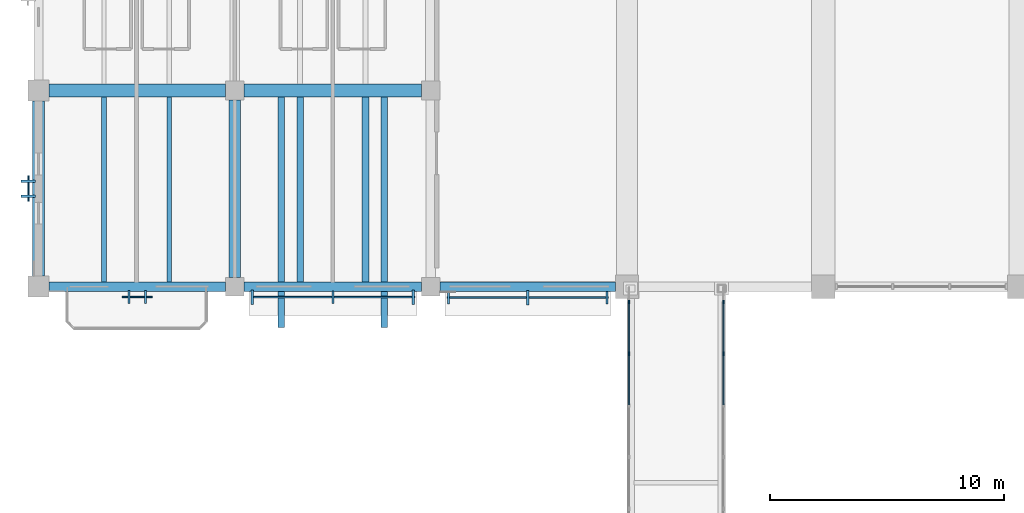
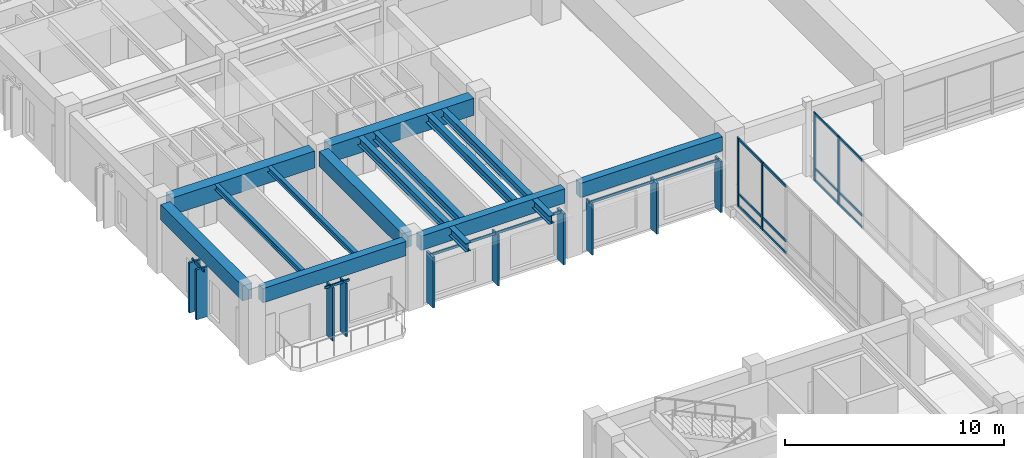
# One storey, part 39 of 132: 30 members, 13 beams, 6 elements without a shape of their own.
"""IFC4 building model written with IfcOpenShell, lengths in metres."""

from ifc_helpers import new_model, si_unit, direction, frame, origin, origin_2d, place, context, subcontext, project, spatial, rectangle, i_section, extrude, material, material_profile, profile_set, type_object, element, aggregate, save


model = new_model("IFC4")

# Units and contexts
model_context = context("Model", 3, precision=1e-05, world=origin(), true_north=direction((0.0, 1.0)))
body_context = subcontext(model_context, "Body", "Model", "MODEL_VIEW")
ifc_project = project(units=[si_unit("LENGTHUNIT", "METRE"), si_unit("AREAUNIT", "SQUARE_METRE"), si_unit("VOLUMEUNIT", "CUBIC_METRE"), si_unit("PLANEANGLEUNIT", "RADIAN"), si_unit("MASSUNIT", "GRAM", prefix="KILO")], contexts=[model_context])

# Site, building, storey
site_placement = place(None, origin())
site = spatial("IfcSite", under=ifc_project, at=site_placement, CompositionType="ELEMENT")
building_placement = place(site_placement, origin())
building = spatial("IfcBuilding", under=site, at=building_placement, Name="Cumbredor Promenade Congress Hotel", CompositionType="ELEMENT")
storey_placement = place(building_placement, frame((0.0, 0.0, 7.56005859375)))
storey = spatial("IfcBuildingStorey", under=building, at=storey_placement, Name="L02", CompositionType="ELEMENT", Elevation=7.56005859375)

# Beams
ifc_material_1 = material(Name="Concrete C40/50", Category="concrete")
ifc_material_profile_1 = material_profile(ifc_material_1, rectangle(XDim=0.5, YDim=0.85009765625, at=origin_2d()), Name="RC BEAM 500x850")
ifc_profile_set_1 = profile_set([ifc_material_profile_1], Name="Concrete C40/50")
beam_type_1 = type_object("IfcBeamType", Name="BM-RC-500x850", PredefinedType="BEAM", material=ifc_profile_set_1)
beam_1_placement = place(storey_placement, frame((0.0, 84.449951171875, 3.375), z_axis=(0.0, 1.0, 0.0), x_axis=(-1.0, 0.0, 0.0)))
element("IfcBeam", 1, at=beam_1_placement, inside=storey, type_object=beam_type_1, Name="L03 Y-Grid Beam 002", PredefinedType="BEAM", context=body_context, shape_type="SweptSolid", body=[
    extrude(rectangle(XDim=0.5, YDim=0.85009765625, at=origin_2d()), origin(), (0.0, 0.0, 1.0), 7.5),
])
beam_2_placement = place(storey_placement, frame((8.39990234375, 84.39990234375, 3.375), z_axis=(0.0, 1.0, 0.0), x_axis=(-1.0, 0.0, 0.0)))
element("IfcBeam", 2, at=beam_2_placement, inside=storey, type_object=beam_type_1, Name="L03 Y-Grid Beam 026", PredefinedType="BEAM", context=body_context, shape_type="SweptSolid", body=[
    extrude(rectangle(XDim=0.5, YDim=0.85009765625, at=origin_2d()), origin(), (0.0, 0.0, 1.0), 7.60009765625),
])
ifc_material_profile_2 = material_profile(ifc_material_1, rectangle(XDim=0.550048828125, YDim=0.949951171875, at=origin_2d()), Name="RC BEAM 550x950")
ifc_profile_set_2 = profile_set([ifc_material_profile_2], Name="Concrete C40/50")
beam_type_2 = type_object("IfcBeamType", Name="BM-RC-550x950", PredefinedType="BEAM", material=ifc_profile_set_2)
beam_3_placement = place(storey_placement, frame((0.449951171875, 92.39990234375, 3.324951171875), z_axis=(1.0, 0.0, 0.0), x_axis=(0.0, 1.0, 0.0)))
element("IfcBeam", 3, at=beam_3_placement, inside=storey, type_object=beam_type_2, Name="L03 X-Grid Beam 003", PredefinedType="BEAM", context=body_context, shape_type="SweptSolid", body=[
    extrude(rectangle(XDim=0.550048828125, YDim=0.949951171875, at=origin_2d()), origin(), (0.0, 0.0, 1.0), 7.550048828125),
])
beam_4_placement = place(storey_placement, frame((8.800048828125, 92.39990234375, 3.324951171875), z_axis=(1.0, 0.0, 0.0), x_axis=(0.0, 1.0, 0.0)))
element("IfcBeam", 4, at=beam_4_placement, inside=storey, type_object=beam_type_2, Name="L03 X-Grid Beam 027", PredefinedType="BEAM", context=body_context, shape_type="SweptSolid", body=[
    extrude(rectangle(XDim=0.550048828125, YDim=0.949951171875, at=origin_2d()), origin(), (0.0, 0.0, 1.0), 7.599853515625),
])

# Curtain wall, members
ifc_material_2 = material(Name="Thermally broken anodized aluminium and low-E glass", Category="aluminium")
curtain_wall_type_1 = type_object("IfcCurtainWallType", Name="Unitised Bridge Glazing Screen CW-05", PredefinedType="NOTDEFINED", material=ifc_material_2)
curtain_wall_1_placement = place(storey_placement, origin())
curtain_wall_1 = element("IfcCurtainWall", 5, at=curtain_wall_1_placement, inside=storey, type_object=curtain_wall_type_1, Name="L02 West Congress-to-Hotel Glazed Bridge West Glazing Screen", PredefinedType="NOTDEFINED")
ifc_material_3 = material(Name="Thermally broken anodized aluminium", Category="aluminium")
ifc_material_profile_3 = material_profile(ifc_material_3, rectangle(XDim=0.06494140625, YDim=0.159912109375, at=origin_2d()), Name="ALU MULLION 65x160")
ifc_profile_set_3 = profile_set([ifc_material_profile_3], Name="Thermally broken anodized aluminium")
member_type_1 = type_object("IfcMemberType", Name="Curtain Wall Mullion ML-01", PredefinedType="MULLION", material=ifc_profile_set_3)
member_1_placement = place(storey_placement, frame((25.280029296875, 81.128662109375, -0.008056640625), z_axis=(0.0, 0.0, 1.0), x_axis=(1.0, 0.0, 0.0)))
member_1 = element("IfcMember", 6, at=member_1_placement, type_object=member_type_1, Name="L02 West Congress-to-Hotel Glazed Bridge West Glazing Screen Mullion 7", PredefinedType="MULLION", context=body_context, shape_type="SweptSolid", body=[
    extrude(rectangle(XDim=0.06494140625, YDim=0.159912109375, at=origin_2d()), origin(), (0.0, 0.0, 1.0), 3.8359375),
])
member_2_placement = place(storey_placement, frame((25.280029296875, 83.340087890625, -0.008056640625), z_axis=(0.0, 0.0, 1.0), x_axis=(1.0, 0.0, 0.0)))
member_2 = element("IfcMember", 7, at=member_2_placement, type_object=member_type_1, Name="L02 West Congress-to-Hotel Glazed Bridge West Glazing Screen Mullion 8", PredefinedType="MULLION", context=body_context, shape_type="SweptSolid", body=[
    extrude(rectangle(XDim=0.06494140625, YDim=0.159912109375, at=origin_2d()), origin(), (0.0, 0.0, 1.0), 3.8359375),
])

curtain_wall_2_placement = place(storey_placement, origin())
curtain_wall_2 = element("IfcCurtainWall", 8, at=curtain_wall_2_placement, inside=storey, type_object=curtain_wall_type_1, Name="L02 West Congress-to-Hotel Glazed Bridge East Glazing Screen", PredefinedType="NOTDEFINED")
member_3_placement = place(storey_placement, frame((29.320068359375, 81.128662109375, -0.008056640625), z_axis=(0.0, 0.0, 1.0), x_axis=(1.0, 0.0, 0.0)))
member_3 = element("IfcMember", 9, at=member_3_placement, type_object=member_type_1, Name="L02 West Congress-to-Hotel Glazed Bridge East Glazing Screen Mullion 7", PredefinedType="MULLION", context=body_context, shape_type="SweptSolid", body=[
    extrude(rectangle(XDim=0.06494140625, YDim=0.159912109375, at=origin_2d()), origin(), (0.0, 0.0, 1.0), 3.8359375),
])
member_4_placement = place(storey_placement, frame((29.320068359375, 83.340087890625, -0.008056640625), z_axis=(0.0, 0.0, 1.0), x_axis=(1.0, 0.0, 0.0)))
member_4 = element("IfcMember", 10, at=member_4_placement, type_object=member_type_1, Name="L02 West Congress-to-Hotel Glazed Bridge East Glazing Screen Mullion 8", PredefinedType="MULLION", context=body_context, shape_type="SweptSolid", body=[
    extrude(rectangle(XDim=0.06494140625, YDim=0.159912109375, at=origin_2d()), origin(), (0.0, 0.0, 1.0), 3.8359375),
])

# Curtain wall, member
curtain_wall_type_2 = type_object("IfcCurtainWallType", Name="Solar Brise-Soleil Screen Assembly CW-07", PredefinedType="NOTDEFINED", material=ifc_material_2)
curtain_wall_3_placement = place(storey_placement, origin())
curtain_wall_3 = element("IfcCurtainWall", 11, at=curtain_wall_3_placement, inside=storey, type_object=curtain_wall_type_2, Name="L02 Veranda Solar Brise-Soleil Screen 451", PredefinedType="NOTDEFINED")
ifc_material_profile_4 = material_profile(ifc_material_3, rectangle(XDim=0.06494140625, YDim=0.1298828125, at=origin_2d()), Name="ALU TRANSOM 65x130")
ifc_profile_set_4 = profile_set([ifc_material_profile_4], Name="Thermally broken anodized aluminium")
member_type_2 = type_object("IfcMemberType", Name="Curtain Wall Transom TR-01", PredefinedType="USERDEFINED", material=ifc_profile_set_4)
member_5_placement = place(storey_placement, frame((3.574951171875, 83.56494140625, 2.905029296875), z_axis=(1.0, 0.0, 0.0), x_axis=(0.0, 1.0, 0.0)))
member_5 = element("IfcMember", 12, at=member_5_placement, type_object=member_type_2, Name="L02 Brise-Soleil Header Tie 0453", ObjectType="TRANSOM", PredefinedType="USERDEFINED", context=body_context, shape_type="SweptSolid", body=[
    extrude(rectangle(XDim=0.06494140625, YDim=0.1298828125, at=origin_2d()), origin(), (0.0, 0.0, 1.0), 1.300048828125),
])

curtain_wall_4_placement = place(storey_placement, origin())
curtain_wall_4 = element("IfcCurtainWall", 13, at=curtain_wall_4_placement, inside=storey, type_object=curtain_wall_type_2, Name="L02 Hospitality Brise-Soleil Screen 039", PredefinedType="NOTDEFINED")
member_6_placement = place(storey_placement, frame((9.10107421875, 83.550048828125, 2.804931640625), z_axis=(1.0, 0.0, 0.0), x_axis=(0.0, 1.0, 0.0)))
member_6 = element("IfcMember", 14, at=member_6_placement, type_object=member_type_2, Name="L02 Brise-Soleil Screen Transom 039", ObjectType="TRANSOM", PredefinedType="USERDEFINED", context=body_context, shape_type="SweptSolid", body=[
    extrude(rectangle(XDim=0.06494140625, YDim=0.1298828125, at=origin_2d()), origin(), (0.0, 0.0, 1.0), 6.998046875),
])

curtain_wall_5_placement = place(storey_placement, origin())
curtain_wall_5 = element("IfcCurtainWall", 15, at=curtain_wall_5_placement, inside=storey, type_object=curtain_wall_type_2, Name="L02 Hospitality Brise-Soleil Screen 040", PredefinedType="NOTDEFINED")
member_7_placement = place(storey_placement, frame((17.5009765625, 83.527587890625, 2.804931640625), z_axis=(1.0, 0.0, 0.0), x_axis=(0.0, 1.0, 0.0)))
member_7 = element("IfcMember", 16, at=member_7_placement, type_object=member_type_2, Name="L02 Brise-Soleil Screen Transom 040", ObjectType="TRANSOM", PredefinedType="USERDEFINED", context=body_context, shape_type="SweptSolid", body=[
    extrude(rectangle(XDim=0.06494140625, YDim=0.1298828125, at=origin_2d()), origin(), (0.0, 0.0, 1.0), 6.89794921875),
])

curtain_wall_6_placement = place(storey_placement, origin())
curtain_wall_6 = element("IfcCurtainWall", 17, at=curtain_wall_6_placement, inside=storey, type_object=curtain_wall_type_2, Name="L02 Pier Brise-Soleil Screen 0499", PredefinedType="NOTDEFINED")
member_8_placement = place(storey_placement, frame((-0.43505859375, 87.64990234375, 2.77490234375), z_axis=(0.0, 1.0, 0.0), x_axis=(-1.0, 0.0, 0.0)))
member_8 = element("IfcMember", 18, at=member_8_placement, type_object=member_type_2, Name="L02 Pier Brise-Soleil Header 0501", ObjectType="TRANSOM", PredefinedType="USERDEFINED", context=body_context, shape_type="SweptSolid", body=[
    extrude(rectangle(XDim=0.06494140625, YDim=0.1298828125, at=origin_2d()), origin(), (0.0, 0.0, 1.0), 1.10009765625),
])

# Member
member_9_placement = place(storey_placement, frame((25.280029296875, 78.94970703125, 0.06005859375), z_axis=(0.0, 1.0, 0.0), x_axis=(-1.0, 0.0, 0.0)))
member_9 = element("IfcMember", 19, at=member_9_placement, type_object=member_type_2, Name="L02 West Congress-to-Hotel Glazed Bridge West Glazing Screen Transom 6.1", ObjectType="TRANSOM", PredefinedType="USERDEFINED", context=body_context, shape_type="SweptSolid", body=[
    extrude(rectangle(XDim=0.06494140625, YDim=0.1298828125, at=origin_2d()), origin(), (0.0, 0.0, 1.0), 2.146484375),
])

member_10_placement = place(storey_placement, frame((25.280029296875, 78.94970703125, 0.719970703125), z_axis=(0.0, 1.0, 0.0), x_axis=(-1.0, 0.0, 0.0)))
member_10 = element("IfcMember", 20, at=member_10_placement, type_object=member_type_2, Name="L02 West Congress-to-Hotel Glazed Bridge West Glazing Screen Transom 6.2", ObjectType="TRANSOM", PredefinedType="USERDEFINED", context=body_context, shape_type="SweptSolid", body=[
    extrude(rectangle(XDim=0.06494140625, YDim=0.1298828125, at=origin_2d()), origin(), (0.0, 0.0, 1.0), 2.146484375),
])

member_11_placement = place(storey_placement, frame((25.280029296875, 78.94970703125, 3.760009765625), z_axis=(0.0, 1.0, 0.0), x_axis=(-1.0, 0.0, 0.0)))
member_11 = element("IfcMember", 21, at=member_11_placement, type_object=member_type_2, Name="L02 West Congress-to-Hotel Glazed Bridge West Glazing Screen Transom 6.3", ObjectType="TRANSOM", PredefinedType="USERDEFINED", context=body_context, shape_type="SweptSolid", body=[
    extrude(rectangle(XDim=0.06494140625, YDim=0.1298828125, at=origin_2d()), origin(), (0.0, 0.0, 1.0), 2.146484375),
])

member_12_placement = place(storey_placement, frame((25.280029296875, 81.1611328125, 0.06005859375), z_axis=(0.0, 1.0, 0.0), x_axis=(-1.0, 0.0, 0.0)))
member_12 = element("IfcMember", 22, at=member_12_placement, type_object=member_type_2, Name="L02 West Congress-to-Hotel Glazed Bridge West Glazing Screen Transom 7.1", ObjectType="TRANSOM", PredefinedType="USERDEFINED", context=body_context, shape_type="SweptSolid", body=[
    extrude(rectangle(XDim=0.06494140625, YDim=0.1298828125, at=origin_2d()), origin(), (0.0, 0.0, 1.0), 2.146484375),
])

member_13_placement = place(storey_placement, frame((25.280029296875, 81.1611328125, 0.719970703125), z_axis=(0.0, 1.0, 0.0), x_axis=(-1.0, 0.0, 0.0)))
member_13 = element("IfcMember", 23, at=member_13_placement, type_object=member_type_2, Name="L02 West Congress-to-Hotel Glazed Bridge West Glazing Screen Transom 7.2", ObjectType="TRANSOM", PredefinedType="USERDEFINED", context=body_context, shape_type="SweptSolid", body=[
    extrude(rectangle(XDim=0.06494140625, YDim=0.1298828125, at=origin_2d()), origin(), (0.0, 0.0, 1.0), 2.146484375),
])

member_14_placement = place(storey_placement, frame((25.280029296875, 81.1611328125, 3.760009765625), z_axis=(0.0, 1.0, 0.0), x_axis=(-1.0, 0.0, 0.0)))
member_14 = element("IfcMember", 24, at=member_14_placement, type_object=member_type_2, Name="L02 West Congress-to-Hotel Glazed Bridge West Glazing Screen Transom 7.3", ObjectType="TRANSOM", PredefinedType="USERDEFINED", context=body_context, shape_type="SweptSolid", body=[
    extrude(rectangle(XDim=0.06494140625, YDim=0.1298828125, at=origin_2d()), origin(), (0.0, 0.0, 1.0), 2.146484375),
])

aggregate(curtain_wall_1, [member_1, member_2, member_9, member_10, member_11, member_12, member_13, member_14])

member_15_placement = place(storey_placement, frame((29.320068359375, 78.94970703125, 0.06005859375), z_axis=(0.0, 1.0, 0.0), x_axis=(-1.0, 0.0, 0.0)))
member_15 = element("IfcMember", 25, at=member_15_placement, type_object=member_type_2, Name="L02 West Congress-to-Hotel Glazed Bridge East Glazing Screen Transom 6.1", ObjectType="TRANSOM", PredefinedType="USERDEFINED", context=body_context, shape_type="SweptSolid", body=[
    extrude(rectangle(XDim=0.06494140625, YDim=0.1298828125, at=origin_2d()), origin(), (0.0, 0.0, 1.0), 2.146484375),
])

member_16_placement = place(storey_placement, frame((29.320068359375, 78.94970703125, 0.719970703125), z_axis=(0.0, 1.0, 0.0), x_axis=(-1.0, 0.0, 0.0)))
member_16 = element("IfcMember", 26, at=member_16_placement, type_object=member_type_2, Name="L02 West Congress-to-Hotel Glazed Bridge East Glazing Screen Transom 6.2", ObjectType="TRANSOM", PredefinedType="USERDEFINED", context=body_context, shape_type="SweptSolid", body=[
    extrude(rectangle(XDim=0.06494140625, YDim=0.1298828125, at=origin_2d()), origin(), (0.0, 0.0, 1.0), 2.146484375),
])

member_17_placement = place(storey_placement, frame((29.320068359375, 78.94970703125, 3.760009765625), z_axis=(0.0, 1.0, 0.0), x_axis=(-1.0, 0.0, 0.0)))
member_17 = element("IfcMember", 27, at=member_17_placement, type_object=member_type_2, Name="L02 West Congress-to-Hotel Glazed Bridge East Glazing Screen Transom 6.3", ObjectType="TRANSOM", PredefinedType="USERDEFINED", context=body_context, shape_type="SweptSolid", body=[
    extrude(rectangle(XDim=0.06494140625, YDim=0.1298828125, at=origin_2d()), origin(), (0.0, 0.0, 1.0), 2.146484375),
])

member_18_placement = place(storey_placement, frame((29.320068359375, 81.1611328125, 0.06005859375), z_axis=(0.0, 1.0, 0.0), x_axis=(-1.0, 0.0, 0.0)))
member_18 = element("IfcMember", 28, at=member_18_placement, type_object=member_type_2, Name="L02 West Congress-to-Hotel Glazed Bridge East Glazing Screen Transom 7.1", ObjectType="TRANSOM", PredefinedType="USERDEFINED", context=body_context, shape_type="SweptSolid", body=[
    extrude(rectangle(XDim=0.06494140625, YDim=0.1298828125, at=origin_2d()), origin(), (0.0, 0.0, 1.0), 2.146484375),
])

member_19_placement = place(storey_placement, frame((29.320068359375, 81.1611328125, 0.719970703125), z_axis=(0.0, 1.0, 0.0), x_axis=(-1.0, 0.0, 0.0)))
member_19 = element("IfcMember", 29, at=member_19_placement, type_object=member_type_2, Name="L02 West Congress-to-Hotel Glazed Bridge East Glazing Screen Transom 7.2", ObjectType="TRANSOM", PredefinedType="USERDEFINED", context=body_context, shape_type="SweptSolid", body=[
    extrude(rectangle(XDim=0.06494140625, YDim=0.1298828125, at=origin_2d()), origin(), (0.0, 0.0, 1.0), 2.146484375),
])

member_20_placement = place(storey_placement, frame((29.320068359375, 81.1611328125, 3.760009765625), z_axis=(0.0, 1.0, 0.0), x_axis=(-1.0, 0.0, 0.0)))
member_20 = element("IfcMember", 30, at=member_20_placement, type_object=member_type_2, Name="L02 West Congress-to-Hotel Glazed Bridge East Glazing Screen Transom 7.3", ObjectType="TRANSOM", PredefinedType="USERDEFINED", context=body_context, shape_type="SweptSolid", body=[
    extrude(rectangle(XDim=0.06494140625, YDim=0.1298828125, at=origin_2d()), origin(), (0.0, 0.0, 1.0), 2.146484375),
])

aggregate(curtain_wall_2, [member_3, member_4, member_15, member_16, member_17, member_18, member_19, member_20])

# Beams
ifc_material_4 = material(Name="Steel ASTM A992 Grade 50", Category="steel")
ifc_material_profile_5 = material_profile(ifc_material_4, i_section(OverallWidth=0.202880859375, OverallDepth=0.302978515625, WebThickness=0.007568359375, FlangeThickness=0.01318359375, at=origin_2d()), Name="W12X40")
ifc_profile_set_5 = profile_set([ifc_material_profile_5], Name="Steel ASTM A992 Grade 50")
beam_type_3 = type_object("IfcBeamType", Name="JST-W12X40", PredefinedType="JOIST", material=ifc_profile_set_5)
for number, where, z_axis, x_axis, name in (
    (31, (2.800048828125, 84.199951171875, 3.6484375), (0.0, 1.0, 0.0), (-1.0, 0.0, 0.0), "L03 Secondary Floor Joist 0001"),
    (32, (5.60009765625, 84.199951171875, 3.6484375), (0.0, 1.0, 0.0), (-1.0, 0.0, 0.0), "L03 Secondary Floor Joist 0002"),
):
    element("IfcBeam", number, at=place(storey_placement, frame(where, z_axis=z_axis, x_axis=x_axis)), inside=storey, type_object=beam_type_3, Name=name, PredefinedType="JOIST", context=body_context, shape_type="SweptSolid", body=[
        extrude(i_section(OverallWidth=0.202880859375, OverallDepth=0.302978515625, WebThickness=0.007568359375, FlangeThickness=0.01318359375, at=origin_2d()), origin(), (0.0, 0.0, 1.0), 7.925048828125),
    ])
ifc_material_profile_6 = material_profile(ifc_material_4, i_section(OverallWidth=0.280029296875, OverallDepth=0.462890625, WebThickness=0.0107421875, FlangeThickness=0.017333984375, at=origin_2d()), Name="W18X76")
ifc_profile_set_6 = profile_set([ifc_material_profile_6], Name="Steel ASTM A992 Grade 50")
beam_type_4 = type_object("IfcBeamType", Name="JST-W18X76", PredefinedType="JOIST", material=ifc_profile_set_6)
for number, where, z_axis, x_axis, name in (
    (33, (10.39990234375, 82.25, 3.568359375), (0.0, 1.0, 0.0), (-1.0, 0.0, 0.0), "L03 Balcony Back-Spanned Outrigger Beam 016.1"),
    (34, (14.800048828125, 82.25, 3.568359375), (0.0, 1.0, 0.0), (-1.0, 0.0, 0.0), "L03 Balcony Back-Spanned Outrigger Beam 016.2"),
):
    element("IfcBeam", number, at=place(storey_placement, frame(where, z_axis=z_axis, x_axis=x_axis)), inside=storey, type_object=beam_type_4, Name=name, PredefinedType="JOIST", context=body_context, shape_type="SweptSolid", body=[
        extrude(i_section(OverallWidth=0.280029296875, OverallDepth=0.462890625, WebThickness=0.0107421875, FlangeThickness=0.017333984375, at=origin_2d()), origin(), (0.0, 0.0, 1.0), 10.14990234375),
    ])
for number, where, z_axis, x_axis, name in (
    (35, (11.199951171875, 84.199951171875, 3.568359375), (0.0, 1.0, 0.0), (-1.0, 0.0, 0.0), "L03 Secondary Floor Joist 0019"),
    (36, (14.0, 84.199951171875, 3.568359375), (0.0, 1.0, 0.0), (-1.0, 0.0, 0.0), "L03 Secondary Floor Joist 0020"),
):
    element("IfcBeam", number, at=place(storey_placement, frame(where, z_axis=z_axis, x_axis=x_axis)), inside=storey, type_object=beam_type_4, Name=name, PredefinedType="JOIST", context=body_context, shape_type="SweptSolid", body=[
        extrude(i_section(OverallWidth=0.280029296875, OverallDepth=0.462890625, WebThickness=0.0107421875, FlangeThickness=0.017333984375, at=origin_2d()), origin(), (0.0, 0.0, 1.0), 7.925048828125),
    ])
ifc_material_profile_7 = material_profile(ifc_material_1, rectangle(XDim=0.39990234375, YDim=0.800048828125, at=origin_2d()), Name="RC SPANDREL 400x800")
ifc_profile_set_7 = profile_set([ifc_material_profile_7], Name="Concrete C40/50")
beam_type_5 = type_object("IfcBeamType", Name="SP-RC-400x800", PredefinedType="SPANDREL", material=ifc_profile_set_7)
beam_5_placement = place(storey_placement, frame((0.449951171875, 84.0, 3.39990234375), z_axis=(1.0, 0.0, 0.0), x_axis=(0.0, 1.0, 0.0)))
element("IfcBeam", 37, at=beam_5_placement, inside=storey, type_object=beam_type_5, Name="L03 X-Grid Beam 001", PredefinedType="SPANDREL", context=body_context, shape_type="SweptSolid", body=[
    extrude(rectangle(XDim=0.39990234375, YDim=0.800048828125, at=origin_2d()), origin(), (0.0, 0.0, 1.0), 7.550048828125),
])
beam_6_placement = place(storey_placement, frame((8.800048828125, 84.0, 3.39990234375), z_axis=(1.0, 0.0, 0.0), x_axis=(0.0, 1.0, 0.0)))
element("IfcBeam", 38, at=beam_6_placement, inside=storey, type_object=beam_type_5, Name="L03 X-Grid Beam 025", PredefinedType="SPANDREL", context=body_context, shape_type="SweptSolid", body=[
    extrude(rectangle(XDim=0.39990234375, YDim=0.800048828125, at=origin_2d()), origin(), (0.0, 0.0, 1.0), 7.599853515625),
])
beam_7_placement = place(storey_placement, frame((17.199951171875, 84.0, 3.39990234375), z_axis=(1.0, 0.0, 0.0), x_axis=(0.0, 1.0, 0.0)))
element("IfcBeam", 39, at=beam_7_placement, inside=storey, type_object=beam_type_5, Name="L03 X-Grid Beam 043", PredefinedType="SPANDREL", context=body_context, shape_type="SweptSolid", body=[
    extrude(rectangle(XDim=0.39990234375, YDim=0.800048828125, at=origin_2d()), origin(), (0.0, 0.0, 1.0), 7.5),
])

# Member
ifc_material_profile_8 = material_profile(ifc_material_3, rectangle(XDim=0.110107421875, YDim=0.6201171875, at=origin_2d()), Name="ARCH FIN 110x620")
ifc_profile_set_8 = profile_set([ifc_material_profile_8], Name="Thermally broken anodized aluminium")
member_type_3 = type_object("IfcMemberType", Name="Vertical Bronze Brise-Soleil Fin BSF-02 110x620", PredefinedType="USERDEFINED", material=ifc_profile_set_8)
member_21_placement = place(storey_placement, frame((9.15087890625, 83.550048828125, 0.02001953125), z_axis=(0.0, 0.0, 1.0), x_axis=(1.0, 0.0, 0.0)))
member_21 = element("IfcMember", 40, at=member_21_placement, type_object=member_type_3, Name="L02 Vertical Brise-Soleil Fin 0454", ObjectType="SOLAR FIN", PredefinedType="USERDEFINED", context=body_context, shape_type="SweptSolid", body=[
    extrude(rectangle(XDim=0.110107421875, YDim=0.6201171875, at=origin_2d()), origin(), (0.0, 0.0, 1.0), 2.844970703125),
])

member_22_placement = place(storey_placement, frame((16.049072265625, 83.550048828125, 0.02001953125), z_axis=(0.0, 0.0, 1.0), x_axis=(1.0, 0.0, 0.0)))
member_22 = element("IfcMember", 41, at=member_22_placement, type_object=member_type_3, Name="L02 Vertical Brise-Soleil Fin 0456", ObjectType="SOLAR FIN", PredefinedType="USERDEFINED", context=body_context, shape_type="SweptSolid", body=[
    extrude(rectangle(XDim=0.110107421875, YDim=0.6201171875, at=origin_2d()), origin(), (0.0, 0.0, 1.0), 2.844970703125),
])

member_23_placement = place(storey_placement, frame((20.949951171875, 83.527587890625, 0.02001953125), z_axis=(0.0, 0.0, 1.0), x_axis=(1.0, 0.0, 0.0)))
member_23 = element("IfcMember", 42, at=member_23_placement, type_object=member_type_3, Name="L02 Vertical Brise-Soleil Fin 0458", ObjectType="SOLAR FIN", PredefinedType="USERDEFINED", context=body_context, shape_type="SweptSolid", body=[
    extrude(rectangle(XDim=0.110107421875, YDim=0.6201171875, at=origin_2d()), origin(), (0.0, 0.0, 1.0), 2.844970703125),
])

member_24_placement = place(storey_placement, frame((-0.43505859375, 87.8798828125, 0.02001953125), z_axis=(0.0, 0.0, 1.0), x_axis=(0.0, 1.0, 0.0)))
member_24 = element("IfcMember", 43, at=member_24_placement, type_object=member_type_3, Name="L02 Pier Brise-Soleil Fin 0500", ObjectType="SOLAR FIN", PredefinedType="USERDEFINED", context=body_context, shape_type="SweptSolid", body=[
    extrude(rectangle(XDim=0.110107421875, YDim=0.6201171875, at=origin_2d()), origin(), (0.0, 0.0, 1.0), 2.794921875),
])

member_25_placement = place(storey_placement, frame((-0.43505859375, 88.52001953125, 0.02001953125), z_axis=(0.0, 0.0, 1.0), x_axis=(0.0, 1.0, 0.0)))
member_25 = element("IfcMember", 44, at=member_25_placement, type_object=member_type_3, Name="L02 Pier Brise-Soleil Fin 0501", ObjectType="SOLAR FIN", PredefinedType="USERDEFINED", context=body_context, shape_type="SweptSolid", body=[
    extrude(rectangle(XDim=0.110107421875, YDim=0.6201171875, at=origin_2d()), origin(), (0.0, 0.0, 1.0), 2.794921875),
])

aggregate(curtain_wall_6, [member_24, member_25, member_8])

ifc_material_5 = material(Name="Kiln-dried tropical hardwood", Category="wood")
ifc_material_profile_9 = material_profile(ifc_material_5, rectangle(XDim=0.090087890625, YDim=0.550048828125, at=origin_2d()), Name="ARCH FIN 90x550")
ifc_profile_set_9 = profile_set([ifc_material_profile_9], Name="Kiln-dried tropical hardwood")
member_type_4 = type_object("IfcMemberType", Name="Vertical Hardwood Brise-Soleil Fin BSF-01 90x550", PredefinedType="USERDEFINED", material=ifc_profile_set_9)
member_26_placement = place(storey_placement, frame((3.875, 83.56494140625, -0.010009765625), z_axis=(0.0, 0.0, 1.0), x_axis=(1.0, 0.0, 0.0)))
member_26 = element("IfcMember", 45, at=member_26_placement, type_object=member_type_4, Name="L02 Vertical Hardwood Brise-Soleil Fin 0452", ObjectType="SOLAR FIN", PredefinedType="USERDEFINED", context=body_context, shape_type="SweptSolid", body=[
    extrude(rectangle(XDim=0.090087890625, YDim=0.550048828125, at=origin_2d()), origin(), (0.0, 0.0, 1.0), 2.974853515625),
])

member_27_placement = place(storey_placement, frame((4.574951171875, 83.56494140625, -0.010009765625), z_axis=(0.0, 0.0, 1.0), x_axis=(1.0, 0.0, 0.0)))
member_27 = element("IfcMember", 46, at=member_27_placement, type_object=member_type_4, Name="L02 Vertical Hardwood Brise-Soleil Fin 0453", ObjectType="SOLAR FIN", PredefinedType="USERDEFINED", context=body_context, shape_type="SweptSolid", body=[
    extrude(rectangle(XDim=0.090087890625, YDim=0.550048828125, at=origin_2d()), origin(), (0.0, 0.0, 1.0), 2.974853515625),
])

aggregate(curtain_wall_3, [member_26, member_27, member_5])

member_28_placement = place(storey_placement, frame((12.60009765625, 83.550048828125, 0.02001953125), z_axis=(0.0, 0.0, 1.0), x_axis=(1.0, 0.0, 0.0)))
member_28 = element("IfcMember", 47, at=member_28_placement, type_object=member_type_4, Name="L02 Vertical Brise-Soleil Fin 0455", ObjectType="SOLAR FIN", PredefinedType="USERDEFINED", context=body_context, shape_type="SweptSolid", body=[
    extrude(rectangle(XDim=0.090087890625, YDim=0.550048828125, at=origin_2d()), origin(), (0.0, 0.0, 1.0), 2.844970703125),
])

aggregate(curtain_wall_4, [member_6, member_21, member_28, member_22])

member_29_placement = place(storey_placement, frame((17.551025390625, 83.527587890625, 0.02001953125), z_axis=(0.0, 0.0, 1.0), x_axis=(1.0, 0.0, 0.0)))
member_29 = element("IfcMember", 48, at=member_29_placement, type_object=member_type_4, Name="L02 Vertical Brise-Soleil Fin 0457", ObjectType="SOLAR FIN", PredefinedType="USERDEFINED", context=body_context, shape_type="SweptSolid", body=[
    extrude(rectangle(XDim=0.090087890625, YDim=0.550048828125, at=origin_2d()), origin(), (0.0, 0.0, 1.0), 2.844970703125),
])

member_30_placement = place(storey_placement, frame((24.34912109375, 83.527587890625, 0.02001953125), z_axis=(0.0, 0.0, 1.0), x_axis=(1.0, 0.0, 0.0)))
member_30 = element("IfcMember", 49, at=member_30_placement, type_object=member_type_4, Name="L02 Vertical Brise-Soleil Fin 0459", ObjectType="SOLAR FIN", PredefinedType="USERDEFINED", context=body_context, shape_type="SweptSolid", body=[
    extrude(rectangle(XDim=0.090087890625, YDim=0.550048828125, at=origin_2d()), origin(), (0.0, 0.0, 1.0), 2.844970703125),
])

aggregate(curtain_wall_5, [member_7, member_29, member_23, member_30])

save(model, "model.ifc")
